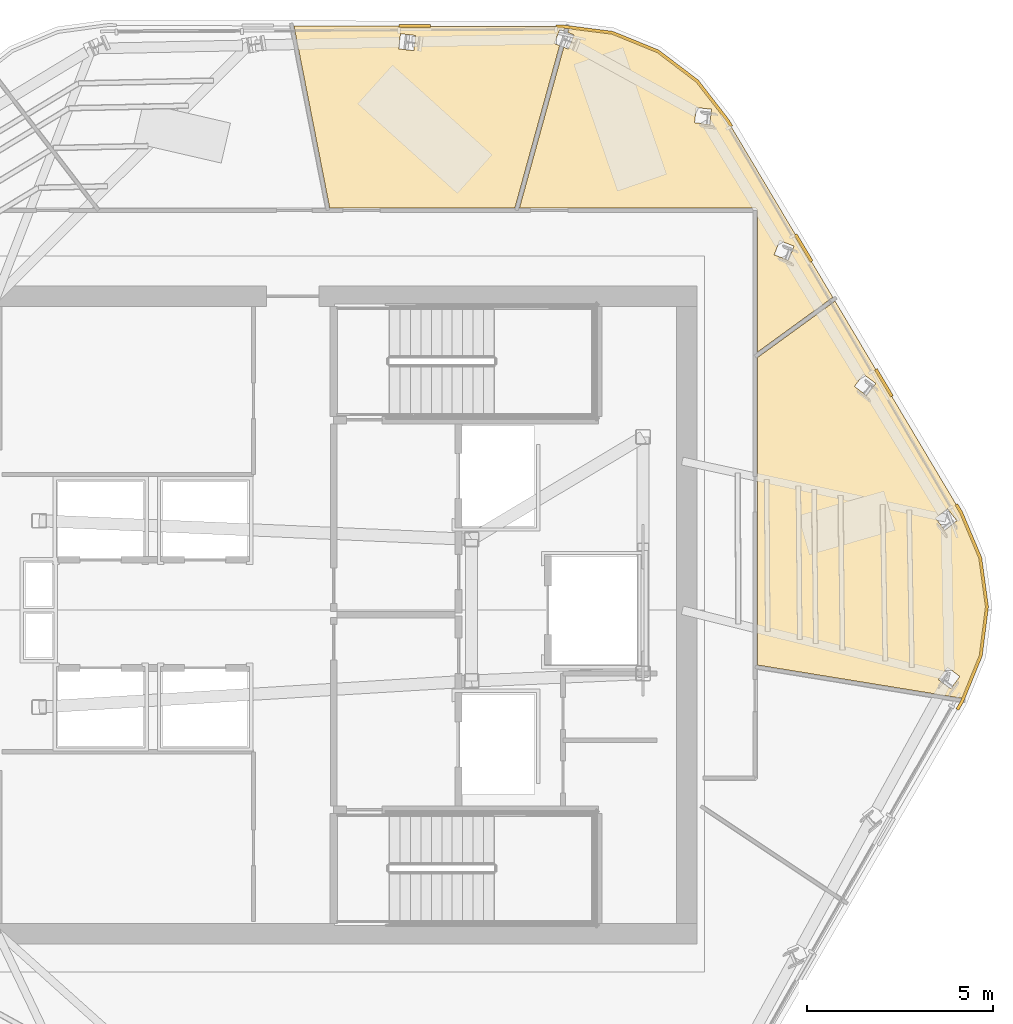
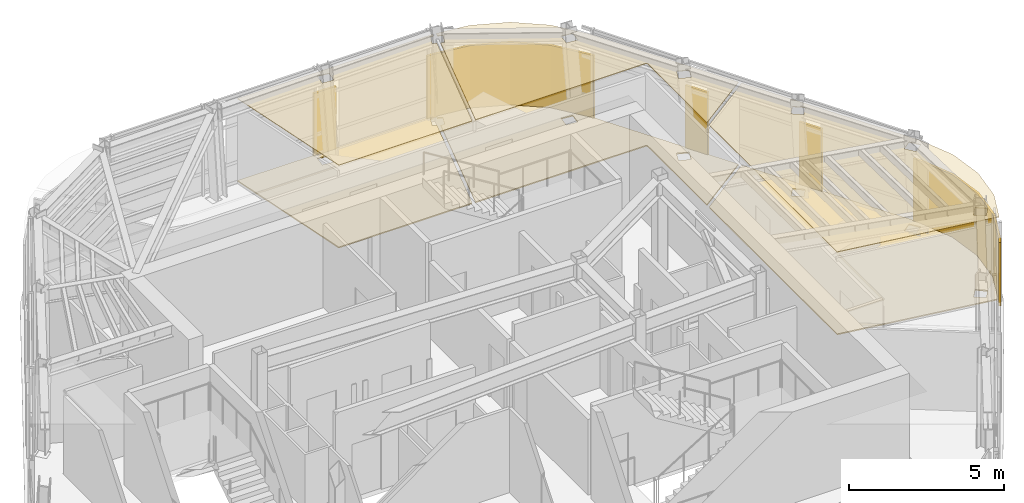
# One storey, part 12 of 13: 11 coverings.
"""IFC4 building model written with IfcOpenShell, lengths in metres."""

from ifc_helpers import new_model, si_unit, direction, frame, origin, place, context, subcontext, project, spatial, polyline, outline, extrude, material, layer, layer_set, type_object, element, save


model = new_model("IFC4")

# Units and contexts
model_context = context("Model", 3, precision=1e-05, world=origin(), true_north=direction((0.0, 1.0)))
body_context = subcontext(model_context, "Body", "Model", "MODEL_VIEW")
ifc_project = project(units=[si_unit("LENGTHUNIT", "METRE"), si_unit("AREAUNIT", "SQUARE_METRE"), si_unit("VOLUMEUNIT", "CUBIC_METRE"), si_unit("PLANEANGLEUNIT", "RADIAN"), si_unit("MASSUNIT", "GRAM", prefix="KILO")], contexts=[model_context])

# Site, building, storey
site_placement = place(None, origin())
site = spatial("IfcSite", under=ifc_project, at=site_placement, CompositionType="ELEMENT")
building_placement = place(site_placement, origin())
building = spatial("IfcBuilding", under=site, at=building_placement, Name="Valkerne Bourse Tower", CompositionType="ELEMENT")
storey_placement = place(building_placement, frame((0.0, 0.0, 285.0)))
storey = spatial("IfcBuildingStorey", under=building, at=storey_placement, Name="L72", CompositionType="ELEMENT", Elevation=285.0)

# Coverings
ifc_material_1 = material(Name="Mineral Fiber Acoustic Ceiling Tile", Category="acoustic")
ifc_layer_1 = layer(ifc_material_1, 0.02490234375)
ifc_layer_set_1 = layer_set([ifc_layer_1], Name="Mineral Fiber Acoustic Ceiling Tile")
covering_type_1 = type_object("IfcCoveringType", Name="COV-CEIL-ACT", PredefinedType="CEILING", material=ifc_layer_set_1)
covering_1_placement = place(storey_placement, frame((0.0, 0.0, 3.25)))
element("IfcCovering", 1, at=covering_1_placement, inside=storey, type_object=covering_type_1, Name="L72 Suspended Ceiling 05", PredefinedType="CEILING", context=body_context, shape_type="SweptSolid", body=[
    extrude(outline(polyline([(56.397705078125, 41.186279296875), (57.212890625, 40.1357421875), (60.037841796875, 35.3916015625), (58.01904296875, 33.92333984375), (58.01904296875, 37.720458984375), (58.009521484375, 37.755126953125), (57.98583984375, 37.779052734375), (57.95068359375, 37.7890625), (51.633056640625, 37.7890625), (52.820068359375, 42.098876953125), (52.94677734375, 42.049072265625), (53.0966796875, 42.4296875), (53.094482421875, 42.4306640625), (52.929443359375, 42.495849609375), (52.96630859375, 42.629150390625), (54.125, 42.482666015625), (55.3466796875, 41.984130859375), (56.397705078125, 41.186279296875)]), holes=[polyline([(58.993896484375, 36.765625), (58.6123046875, 36.912353515625), (58.4658203125, 36.532958984375), (58.46728515625, 36.53125), (58.8486328125, 36.384765625), (58.9951171875, 36.763916015625), (58.993896484375, 36.765625)]), polyline([(56.781494140625, 40.436279296875), (56.37548828125, 40.481201171875), (56.32958984375, 40.077392578125), (56.33154296875, 40.075927734375), (56.73779296875, 40.03076171875), (56.783447265625, 40.434814453125), (56.781494140625, 40.436279296875)])]), origin(), (0.0, 0.0, 1.0), 0.02490234375),
])
covering_2_placement = place(storey_placement, frame((0.0, 0.0, 3.25)))
element("IfcCovering", 2, at=covering_2_placement, inside=storey, type_object=covering_type_1, Name="L72 Suspended Ceiling 06", PredefinedType="CEILING", context=body_context, shape_type="SweptSolid", body=[
    extrude(outline(polyline([(52.819091796875, 42.539306640625), (52.717041015625, 42.57958984375), (52.56689453125, 42.19873046875), (52.569091796875, 42.197998046875), (52.709716796875, 42.142333984375), (51.510498046875, 37.7890625), (46.54345703125, 37.7890625), (45.585693359375, 42.671142578125), (52.805908203125, 42.6494140625), (52.847900390625, 42.64404296875), (52.819091796875, 42.539306640625)]), holes=[polyline([(48.845458984375, 42.41455078125), (48.4423828125, 42.462890625), (48.393798828125, 42.056396484375), (48.39599609375, 42.05615234375), (48.799072265625, 42.0078125), (48.84765625, 42.414306640625), (48.845458984375, 42.41455078125)])]), origin(), (0.0, 0.0, 1.0), 0.02490234375),
])
covering_3_placement = place(storey_placement, frame((0.0, 0.0, 3.25)))
element("IfcCovering", 3, at=covering_3_placement, inside=storey, type_object=covering_type_1, Name="L72 Suspended Ceiling 08", PredefinedType="CEILING", context=body_context, shape_type="SweptSolid", body=[
    extrude(outline(polyline([(64.00146484375, 25.78173828125), (63.5322265625, 24.632080078125), (58.01904296875, 25.5283203125), (58.01904296875, 33.77734375), (60.098388671875, 35.289794921875), (63.472900390625, 29.622802734375), (63.98779296875, 28.398193359375), (64.166748046875, 27.0908203125), (64.00146484375, 25.78173828125)]), holes=[polyline([(63.443359375, 25.22119140625), (63.443603515625, 25.2236328125), (63.115966796875, 25.464599609375), (62.873291015625, 25.135986328125), (62.873046875, 25.133544921875), (63.20068359375, 24.892578125), (63.443359375, 25.22119140625)]), polyline([(63.364990234375, 29.401123046875), (63.1103515625, 29.720703125), (62.791748046875, 29.46826171875), (62.792236328125, 29.4658203125), (63.046630859375, 29.14599609375), (63.365234375, 29.398681640625), (63.364990234375, 29.401123046875)]), polyline([(61.189697265625, 33.082275390625), (60.8623046875, 33.326904296875), (60.618408203125, 33.001708984375), (60.619384765625, 32.99951171875), (60.946533203125, 32.7548828125), (61.190673828125, 33.080078125), (61.189697265625, 33.082275390625)])]), origin(), (0.0, 0.0, 1.0), 0.02490234375),
])
ifc_material_2 = material(Name="Bronze Anodised Aluminium AA 6063-T6", Category="aluminium")
ifc_layer_2 = layer(ifc_material_2, 0.06005859375)
ifc_layer_set_2 = layer_set([ifc_layer_2], Name="Bronze Anodised Aluminium AA 6063-T6")
covering_type_2 = type_object("IfcCoveringType", Name="COV-CRN-ALUM", PredefinedType="CLADDING", material=ifc_layer_set_2)
covering_4_placement = place(storey_placement, origin())
element("IfcCovering", 4, at=covering_4_placement, inside=storey, type_object=covering_type_2, Name="L72 Wind-Shaped Corner Aluminium Cladding 01", PredefinedType="CLADDING", context=body_context, shape_type="SweptSolid", body=[
    extrude(outline(polyline([(64.030517578125, 28.409912109375), (64.211181640625, 27.09130859375), (64.044189453125, 25.7705078125), (63.5390625, 24.5322265625), (63.412353515625, 24.314453125), (63.343017578125, 24.35400390625), (63.467041015625, 24.567626953125), (63.96630859375, 25.791015625), (64.13037109375, 27.0908203125), (63.95263671875, 28.388671875), (63.440673828125, 29.606689453125), (63.314208984375, 29.819091796875), (63.38330078125, 29.859375), (63.51220703125, 29.642822265625), (64.030517578125, 28.409912109375)])), origin(), (0.0, 0.0, 1.0), 2.5),
])
covering_5_placement = place(storey_placement, origin())
element("IfcCovering", 5, at=covering_5_placement, inside=storey, type_object=covering_type_2, Name="L72 Wind-Shaped Corner Aluminium Cladding 15", PredefinedType="CLADDING", context=body_context, shape_type="SweptSolid", body=[
    extrude(outline(polyline([(49.243896484375, 42.7041015625), (49.244140625, 42.624267578125), (48.404296875, 42.626708984375), (48.40380859375, 42.706787109375), (49.243896484375, 42.7041015625)])), origin(), (0.0, 0.0, 1.0), 2.5),
])
covering_6_placement = place(storey_placement, origin())
element("IfcCovering", 6, at=covering_6_placement, inside=storey, type_object=covering_type_2, Name="L72 Wind-Shaped Corner Aluminium Cladding 16", PredefinedType="CLADDING", context=body_context, shape_type="SweptSolid", body=[
    extrude(outline(polyline([(52.808837890625, 42.693359375), (54.13623046875, 42.525634765625), (55.368896484375, 42.022705078125), (56.42919921875, 41.218017578125), (57.249267578125, 40.16064453125), (57.347900390625, 39.994873046875), (57.27880859375, 39.95458984375), (57.18310546875, 40.115478515625), (56.372314453125, 41.160400390625), (55.328857421875, 41.95263671875), (54.11572265625, 42.447509765625), (52.8037109375, 42.61328125), (52.6162109375, 42.614013671875), (52.61572265625, 42.694091796875), (52.808837890625, 42.693359375)])), origin(), (0.0, 0.0, 1.0), 2.5),
])
covering_7_placement = place(storey_placement, origin())
element("IfcCovering", 7, at=covering_7_placement, inside=storey, type_object=covering_type_2, Name="L72 Wind-Shaped Corner Aluminium Cladding 17", PredefinedType="CLADDING", context=body_context, shape_type="SweptSolid", body=[
    extrude(outline(polyline([(59.5029296875, 36.375732421875), (59.433837890625, 36.33544921875), (59.004150390625, 37.05712890625), (59.0732421875, 37.09765625), (59.5029296875, 36.375732421875)])), origin(), (0.0, 0.0, 1.0), 2.5),
])
covering_8_placement = place(storey_placement, origin())
element("IfcCovering", 8, at=covering_8_placement, inside=storey, type_object=covering_type_2, Name="L72 Wind-Shaped Corner Aluminium Cladding 18", PredefinedType="CLADDING", context=body_context, shape_type="SweptSolid", body=[
    extrude(outline(polyline([(61.658203125, 32.756591796875), (61.589111328125, 32.71630859375), (61.1591796875, 33.43798828125), (61.228271484375, 33.478515625), (61.658203125, 32.756591796875)])), origin(), (0.0, 0.0, 1.0), 2.5),
])
ifc_material_3 = material(Name="Galvanised Painted Steel", Category="steel")
ifc_layer_3 = layer(ifc_material_3, 0.044921875)
ifc_layer_set_3 = layer_set([ifc_layer_3], Name="Galvanised Painted Steel")
covering_type_3 = type_object("IfcCoveringType", Name="COV-FLR-RAF", PredefinedType="FLOORING", material=ifc_layer_set_3)
covering_9_placement = place(storey_placement, origin())
element("IfcCovering", 9, at=covering_9_placement, inside=storey, type_object=covering_type_3, Name="L72 Floor Finish 05", PredefinedType="FLOORING", context=body_context, shape_type="SweptSolid", body=[
    extrude(outline(polyline([(56.397705078125, 41.186279296875), (57.212890625, 40.1357421875), (60.037841796875, 35.3916015625), (58.01904296875, 33.92333984375), (58.01904296875, 37.720458984375), (58.009521484375, 37.755126953125), (57.98583984375, 37.779052734375), (57.95068359375, 37.7890625), (51.633056640625, 37.7890625), (52.820068359375, 42.098876953125), (52.94677734375, 42.049072265625), (53.0966796875, 42.4296875), (53.094482421875, 42.4306640625), (52.929443359375, 42.495849609375), (52.96630859375, 42.629150390625), (54.125, 42.482666015625), (55.3466796875, 41.984130859375), (56.397705078125, 41.186279296875)]), holes=[polyline([(58.993896484375, 36.765625), (58.6123046875, 36.912353515625), (58.4658203125, 36.532958984375), (58.46728515625, 36.53125), (58.8486328125, 36.384765625), (58.9951171875, 36.763916015625), (58.993896484375, 36.765625)]), polyline([(56.781494140625, 40.436279296875), (56.37548828125, 40.481201171875), (56.32958984375, 40.077392578125), (56.33154296875, 40.075927734375), (56.73779296875, 40.03076171875), (56.783447265625, 40.434814453125), (56.781494140625, 40.436279296875)])]), origin(), (0.0, 0.0, 1.0), 0.044921875),
])
covering_10_placement = place(storey_placement, origin())
element("IfcCovering", 10, at=covering_10_placement, inside=storey, type_object=covering_type_3, Name="L72 Floor Finish 06", PredefinedType="FLOORING", context=body_context, shape_type="SweptSolid", body=[
    extrude(outline(polyline([(52.819091796875, 42.539306640625), (52.717041015625, 42.57958984375), (52.56689453125, 42.19873046875), (52.569091796875, 42.197998046875), (52.709716796875, 42.142333984375), (51.510498046875, 37.7890625), (46.54345703125, 37.7890625), (45.585693359375, 42.671142578125), (52.805908203125, 42.6494140625), (52.847900390625, 42.64404296875), (52.819091796875, 42.539306640625)]), holes=[polyline([(48.845458984375, 42.41455078125), (48.4423828125, 42.462890625), (48.393798828125, 42.056396484375), (48.39599609375, 42.05615234375), (48.799072265625, 42.0078125), (48.84765625, 42.414306640625), (48.845458984375, 42.41455078125)])]), origin(), (0.0, 0.0, 1.0), 0.044921875),
])
covering_11_placement = place(storey_placement, origin())
element("IfcCovering", 11, at=covering_11_placement, inside=storey, type_object=covering_type_3, Name="L72 Floor Finish 08", PredefinedType="FLOORING", context=body_context, shape_type="SweptSolid", body=[
    extrude(outline(polyline([(64.00146484375, 25.78173828125), (63.5322265625, 24.632080078125), (58.01904296875, 25.5283203125), (58.01904296875, 33.77734375), (60.098388671875, 35.289794921875), (63.472900390625, 29.622802734375), (63.98779296875, 28.398193359375), (64.166748046875, 27.0908203125), (64.00146484375, 25.78173828125)]), holes=[polyline([(63.443359375, 25.22119140625), (63.443603515625, 25.2236328125), (63.115966796875, 25.464599609375), (62.873291015625, 25.135986328125), (62.873046875, 25.133544921875), (63.20068359375, 24.892578125), (63.443359375, 25.22119140625)]), polyline([(63.364990234375, 29.401123046875), (63.1103515625, 29.720703125), (62.791748046875, 29.46826171875), (62.792236328125, 29.4658203125), (63.046630859375, 29.14599609375), (63.365234375, 29.398681640625), (63.364990234375, 29.401123046875)]), polyline([(61.189697265625, 33.082275390625), (60.8623046875, 33.326904296875), (60.618408203125, 33.001708984375), (60.619384765625, 32.99951171875), (60.946533203125, 32.7548828125), (61.190673828125, 33.080078125), (61.189697265625, 33.082275390625)])]), origin(), (0.0, 0.0, 1.0), 0.044921875),
])

save(model, "model.ifc")
